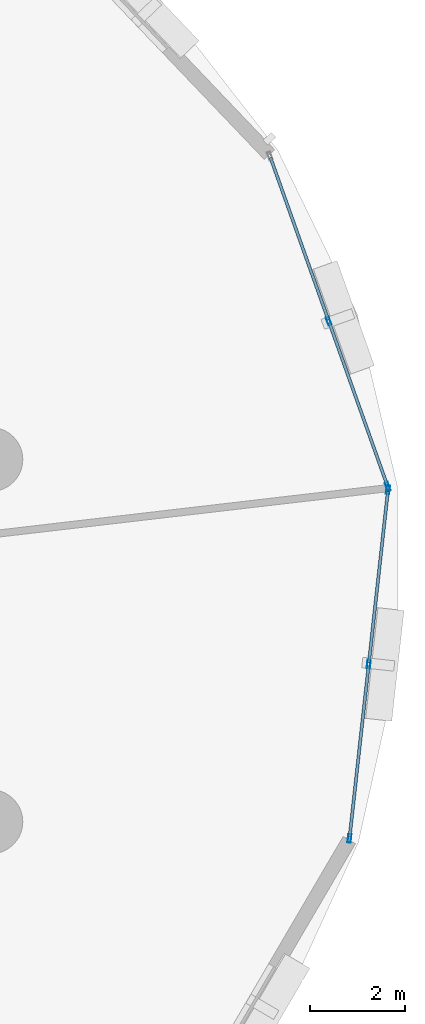
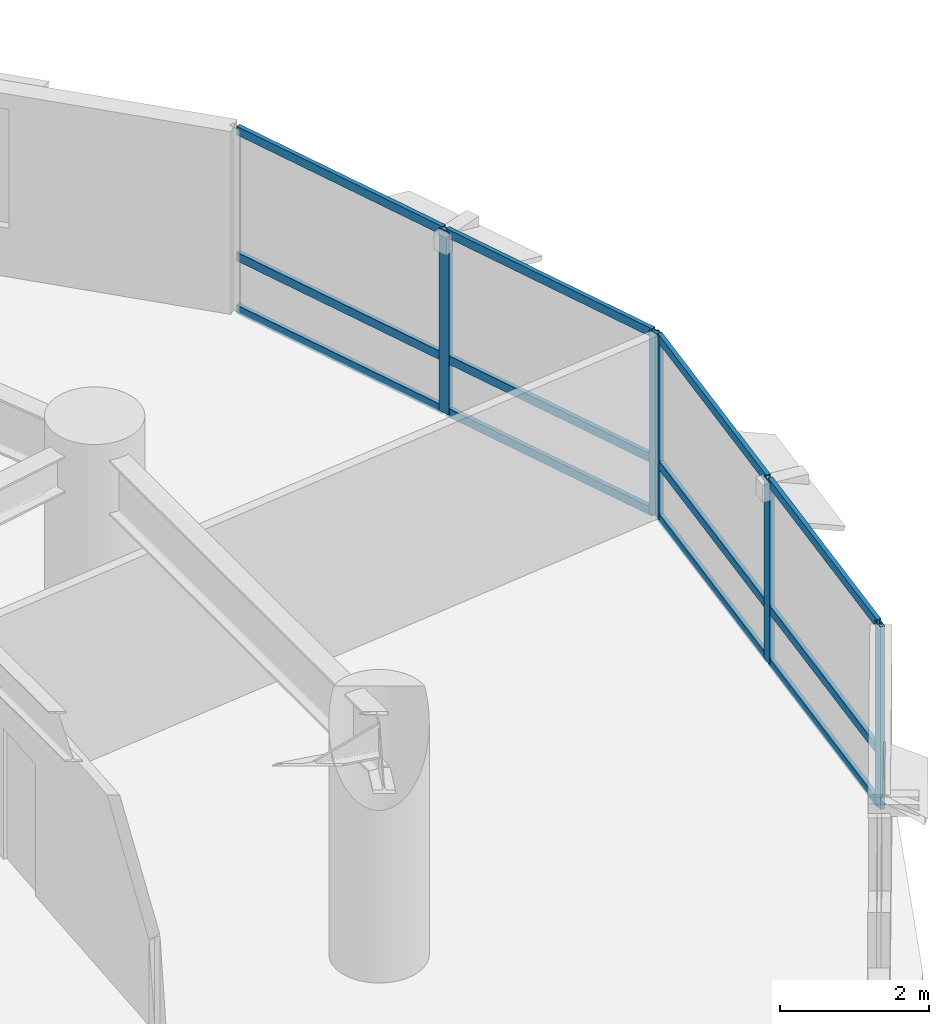
# One storey, part 8 of 17: 17 members, 2 elements without a shape of their own.
"""IFC4 building model written with IfcOpenShell, lengths in metres."""

from ifc_helpers import new_model, si_unit, direction, frame, origin, origin_2d, place, context, subcontext, project, spatial, hollow_rectangle, extrude, material, layer, layer_set, material_profile, profile_set, type_object, element, aggregate, save


model = new_model("IFC4")

# Units and contexts
model_context = context("Model", 3, precision=1e-05, world=origin(), true_north=direction((0.0, 1.0)))
body_context = subcontext(model_context, "Body", "Model", "MODEL_VIEW")
ifc_project = project(units=[si_unit("LENGTHUNIT", "METRE"), si_unit("AREAUNIT", "SQUARE_METRE"), si_unit("VOLUMEUNIT", "CUBIC_METRE"), si_unit("PLANEANGLEUNIT", "RADIAN"), si_unit("MASSUNIT", "GRAM", prefix="KILO"), si_unit("THERMODYNAMICTEMPERATUREUNIT", "KELVIN"), si_unit("POWERUNIT", "WATT")], contexts=[model_context])

# Site, building, storey
site_placement = place(None, origin())
site = spatial("IfcSite", under=ifc_project, at=site_placement, CompositionType="ELEMENT")
building_placement = place(site_placement, origin())
building = spatial("IfcBuilding", under=site, at=building_placement, Name="Ocrelia Relay Tower", CompositionType="ELEMENT")
storey_placement = place(building_placement, frame((0.0, 0.0, 59.39990234375)))
storey = spatial("IfcBuildingStorey", under=building, at=storey_placement, Name="L13", CompositionType="ELEMENT", Elevation=59.39990234375)

# Curtain wall, members
ifc_material_1 = material(Name="Aluminium and solar-control low-E glass", Category="aluminium")
ifc_layer = layer(ifc_material_1, 0.179931640625, Name="Aluminium and solar-control low-E glass")
ifc_layer_set = layer_set([ifc_layer], Name="Aluminium and solar-control low-E glass")
curtain_wall_type = type_object("IfcCurtainWallType", Name="CW-SYS-Z1-DATA", PredefinedType="NOTDEFINED", material=ifc_layer_set)
curtain_wall_1_placement = place(storey_placement, origin())
curtain_wall_1 = element("IfcCurtainWall", 1, at=curtain_wall_1_placement, inside=storey, type_object=curtain_wall_type, Name="L13 Elliptical Tower Curtain Wall Bay 01", PredefinedType="NOTDEFINED")
ifc_material_2 = material(Name="Anodised bronze aluminium", Category="aluminium")
ifc_material_profile_1 = material_profile(ifc_material_2, hollow_rectangle(XDim=0.070068359375, YDim=0.179931640625, WallThickness=0.006103515625, at=origin_2d()), Name="CW-MUL-180x70")
ifc_profile_set_1 = profile_set([ifc_material_profile_1], Name="Anodised bronze aluminium")
member_type_1 = type_object("IfcMemberType", Name="CW-SYS-Z1-DATA-MUL", PredefinedType="MULLION", material=ifc_profile_set_1)
member_1_placement = place(storey_placement, frame((61.601318359375, 29.25244140625, 0.0), z_axis=(0.0, 0.0, 1.0), x_axis=(-0.941997078317, -0.335621072702, 0.0)))
member_1 = element("IfcMember", 2, at=member_1_placement, type_object=member_type_1, Name="CW-Z1 mullion 1", PredefinedType="MULLION", context=body_context, shape_type="SweptSolid", body=[
    extrude(hollow_rectangle(XDim=0.070068359375, YDim=0.179931640625, WallThickness=0.006103515625, at=origin_2d()), origin(), (0.0, 0.0, 1.0), 3.0),
])
member_2_placement = place(storey_placement, frame((60.358642578125, 32.740234375, 0.0), z_axis=(0.0, 0.0, 1.0), x_axis=(-0.941997078317, -0.335621072702, 0.0)))
member_2 = element("IfcMember", 3, at=member_2_placement, type_object=member_type_1, Name="CW-Z1 mullion 2", PredefinedType="MULLION", context=body_context, shape_type="SweptSolid", body=[
    extrude(hollow_rectangle(XDim=0.070068359375, YDim=0.179931640625, WallThickness=0.006103515625, at=origin_2d()), origin(), (0.0, 0.0, 1.0), 3.0),
])

curtain_wall_2_placement = place(storey_placement, origin())
curtain_wall_2 = element("IfcCurtainWall", 4, at=curtain_wall_2_placement, inside=storey, type_object=curtain_wall_type, Name="L13 Elliptical Tower Curtain Wall Bay 18", PredefinedType="NOTDEFINED")
member_3_placement = place(storey_placement, frame((60.795166015625, 21.823974609375, 0.0), z_axis=(0.0, 0.0, 1.0), x_axis=(-0.993940536557, 0.109919105663, 0.0)))
member_3 = element("IfcMember", 5, at=member_3_placement, type_object=member_type_1, Name="CW-Z1 mullion 1", PredefinedType="MULLION", context=body_context, shape_type="SweptSolid", body=[
    extrude(hollow_rectangle(XDim=0.070068359375, YDim=0.179931640625, WallThickness=0.006103515625, at=origin_2d()), origin(), (0.0, 0.0, 1.0), 3.0),
])
member_4_placement = place(storey_placement, frame((61.2021484375, 25.50439453125, 0.0), z_axis=(0.0, 0.0, 1.0), x_axis=(-0.993940536557, 0.109919105663, 0.0)))
member_4 = element("IfcMember", 6, at=member_4_placement, type_object=member_type_1, Name="CW-Z1 mullion 2", PredefinedType="MULLION", context=body_context, shape_type="SweptSolid", body=[
    extrude(hollow_rectangle(XDim=0.070068359375, YDim=0.179931640625, WallThickness=0.006103515625, at=origin_2d()), origin(), (0.0, 0.0, 1.0), 3.0),
])
member_5_placement = place(storey_placement, frame((61.609130859375, 29.1845703125, 0.0), z_axis=(0.0, 0.0, 1.0), x_axis=(-0.993940536557, 0.109919105663, 0.0)))
member_5 = element("IfcMember", 7, at=member_5_placement, type_object=member_type_1, Name="CW-Z1 mullion 3", PredefinedType="MULLION", context=body_context, shape_type="SweptSolid", body=[
    extrude(hollow_rectangle(XDim=0.070068359375, YDim=0.179931640625, WallThickness=0.006103515625, at=origin_2d()), origin(), (0.0, 0.0, 1.0), 3.0),
])

# Member
ifc_material_profile_2 = material_profile(ifc_material_2, hollow_rectangle(XDim=0.06494140625, YDim=0.139892578125, WallThickness=0.0048828125, at=origin_2d()), Name="CW-TRN-140x65")
ifc_profile_set_2 = profile_set([ifc_material_profile_2], Name="Anodised bronze aluminium")
member_type_2 = type_object("IfcMemberType", Name="CW-SYS-Z1-DATA-TRN", PredefinedType="USERDEFINED", material=ifc_profile_set_2)
member_6_placement = place(storey_placement, frame((61.589599609375, 29.285400390625, 0.03271484375), z_axis=(-0.335638068475, 0.941991022776, 0.0), x_axis=(-0.941991022776, -0.335638068475, 0.0)))
member_6 = element("IfcMember", 8, at=member_6_placement, type_object=member_type_2, Name="CW-Z1 transom 1.1", ObjectType="TRANSOM", PredefinedType="USERDEFINED", context=body_context, shape_type="SweptSolid", body=[
    extrude(hollow_rectangle(XDim=0.06494140625, YDim=0.139892578125, WallThickness=0.0048828125, at=origin_2d()), origin(), (0.0, 0.0, 1.0), 3.632568359375),
])

member_7_placement = place(storey_placement, frame((61.589599609375, 29.285400390625, 0.900146484375), z_axis=(-0.335638068475, 0.941991022776, 0.0), x_axis=(-0.941991022776, -0.335638068475, 0.0)))
member_7 = element("IfcMember", 9, at=member_7_placement, type_object=member_type_2, Name="CW-Z1 transom 1.2", ObjectType="TRANSOM", PredefinedType="USERDEFINED", context=body_context, shape_type="SweptSolid", body=[
    extrude(hollow_rectangle(XDim=0.06494140625, YDim=0.139892578125, WallThickness=0.0048828125, at=origin_2d()), origin(), (0.0, 0.0, 1.0), 3.632568359375),
])

member_8_placement = place(storey_placement, frame((61.589599609375, 29.285400390625, 2.967529296875), z_axis=(-0.335638068475, 0.941991022776, 0.0), x_axis=(-0.941991022776, -0.335638068475, 0.0)))
member_8 = element("IfcMember", 10, at=member_8_placement, type_object=member_type_2, Name="CW-Z1 transom 1.3", ObjectType="TRANSOM", PredefinedType="USERDEFINED", context=body_context, shape_type="SweptSolid", body=[
    extrude(hollow_rectangle(XDim=0.06494140625, YDim=0.139892578125, WallThickness=0.0048828125, at=origin_2d()), origin(), (0.0, 0.0, 1.0), 3.632568359375),
])

member_9_placement = place(storey_placement, frame((60.346923828125, 32.773193359375, 0.03271484375), z_axis=(-0.335616820629, 0.941998593264, 0.0), x_axis=(-0.941998593264, -0.335616820629, 0.0)))
member_9 = element("IfcMember", 11, at=member_9_placement, type_object=member_type_2, Name="CW-Z1 transom 2.1", ObjectType="TRANSOM", PredefinedType="USERDEFINED", context=body_context, shape_type="SweptSolid", body=[
    extrude(hollow_rectangle(XDim=0.06494140625, YDim=0.139892578125, WallThickness=0.0048828125, at=origin_2d()), origin(), (0.0, 0.0, 1.0), 3.6328125),
])

member_10_placement = place(storey_placement, frame((60.346923828125, 32.773193359375, 0.900146484375), z_axis=(-0.335616820629, 0.941998593264, 0.0), x_axis=(-0.941998593264, -0.335616820629, 0.0)))
member_10 = element("IfcMember", 12, at=member_10_placement, type_object=member_type_2, Name="CW-Z1 transom 2.2", ObjectType="TRANSOM", PredefinedType="USERDEFINED", context=body_context, shape_type="SweptSolid", body=[
    extrude(hollow_rectangle(XDim=0.06494140625, YDim=0.139892578125, WallThickness=0.0048828125, at=origin_2d()), origin(), (0.0, 0.0, 1.0), 3.6328125),
])

member_11_placement = place(storey_placement, frame((60.346923828125, 32.773193359375, 2.967529296875), z_axis=(-0.335616820629, 0.941998593264, 0.0), x_axis=(-0.941998593264, -0.335616820629, 0.0)))
member_11 = element("IfcMember", 13, at=member_11_placement, type_object=member_type_2, Name="CW-Z1 transom 2.3", ObjectType="TRANSOM", PredefinedType="USERDEFINED", context=body_context, shape_type="SweptSolid", body=[
    extrude(hollow_rectangle(XDim=0.06494140625, YDim=0.139892578125, WallThickness=0.0048828125, at=origin_2d()), origin(), (0.0, 0.0, 1.0), 3.6328125),
])

aggregate(curtain_wall_1, [member_1, member_2, member_6, member_7, member_8, member_9, member_10, member_11])

member_12_placement = place(storey_placement, frame((60.799072265625, 21.85888671875, 0.03271484375), z_axis=(0.109885646508, 0.993944236208, 0.0), x_axis=(-0.993944236208, 0.109885646508, 0.0)))
member_12 = element("IfcMember", 14, at=member_12_placement, type_object=member_type_2, Name="CW-Z1 transom 1.1", ObjectType="TRANSOM", PredefinedType="USERDEFINED", context=body_context, shape_type="SweptSolid", body=[
    extrude(hollow_rectangle(XDim=0.06494140625, YDim=0.139892578125, WallThickness=0.0048828125, at=origin_2d()), origin(), (0.0, 0.0, 1.0), 3.632568359375),
])

member_13_placement = place(storey_placement, frame((60.799072265625, 21.85888671875, 0.900146484375), z_axis=(0.109885646508, 0.993944236208, 0.0), x_axis=(-0.993944236208, 0.109885646508, 0.0)))
member_13 = element("IfcMember", 15, at=member_13_placement, type_object=member_type_2, Name="CW-Z1 transom 1.2", ObjectType="TRANSOM", PredefinedType="USERDEFINED", context=body_context, shape_type="SweptSolid", body=[
    extrude(hollow_rectangle(XDim=0.06494140625, YDim=0.139892578125, WallThickness=0.0048828125, at=origin_2d()), origin(), (0.0, 0.0, 1.0), 3.632568359375),
])

member_14_placement = place(storey_placement, frame((60.799072265625, 21.85888671875, 2.967529296875), z_axis=(0.109885646508, 0.993944236208, 0.0), x_axis=(-0.993944236208, 0.109885646508, 0.0)))
member_14 = element("IfcMember", 16, at=member_14_placement, type_object=member_type_2, Name="CW-Z1 transom 1.3", ObjectType="TRANSOM", PredefinedType="USERDEFINED", context=body_context, shape_type="SweptSolid", body=[
    extrude(hollow_rectangle(XDim=0.06494140625, YDim=0.139892578125, WallThickness=0.0048828125, at=origin_2d()), origin(), (0.0, 0.0, 1.0), 3.632568359375),
])

member_15_placement = place(storey_placement, frame((61.2060546875, 25.5390625, 0.03271484375), z_axis=(0.109878306486, 0.993945047658, 0.0), x_axis=(-0.993945047658, 0.109878306486, 0.0)))
member_15 = element("IfcMember", 17, at=member_15_placement, type_object=member_type_2, Name="CW-Z1 transom 2.1", ObjectType="TRANSOM", PredefinedType="USERDEFINED", context=body_context, shape_type="SweptSolid", body=[
    extrude(hollow_rectangle(XDim=0.06494140625, YDim=0.139892578125, WallThickness=0.0048828125, at=origin_2d()), origin(), (0.0, 0.0, 1.0), 3.6328125),
])

member_16_placement = place(storey_placement, frame((61.2060546875, 25.5390625, 0.900146484375), z_axis=(0.109878306486, 0.993945047658, 0.0), x_axis=(-0.993945047658, 0.109878306486, 0.0)))
member_16 = element("IfcMember", 18, at=member_16_placement, type_object=member_type_2, Name="CW-Z1 transom 2.2", ObjectType="TRANSOM", PredefinedType="USERDEFINED", context=body_context, shape_type="SweptSolid", body=[
    extrude(hollow_rectangle(XDim=0.06494140625, YDim=0.139892578125, WallThickness=0.0048828125, at=origin_2d()), origin(), (0.0, 0.0, 1.0), 3.6328125),
])

member_17_placement = place(storey_placement, frame((61.2060546875, 25.5390625, 2.967529296875), z_axis=(0.109878306486, 0.993945047658, 0.0), x_axis=(-0.993945047658, 0.109878306486, 0.0)))
member_17 = element("IfcMember", 19, at=member_17_placement, type_object=member_type_2, Name="CW-Z1 transom 2.3", ObjectType="TRANSOM", PredefinedType="USERDEFINED", context=body_context, shape_type="SweptSolid", body=[
    extrude(hollow_rectangle(XDim=0.06494140625, YDim=0.139892578125, WallThickness=0.0048828125, at=origin_2d()), origin(), (0.0, 0.0, 1.0), 3.6328125),
])

aggregate(curtain_wall_2, [member_3, member_4, member_5, member_12, member_13, member_14, member_15, member_16, member_17])

save(model, "model.ifc")
